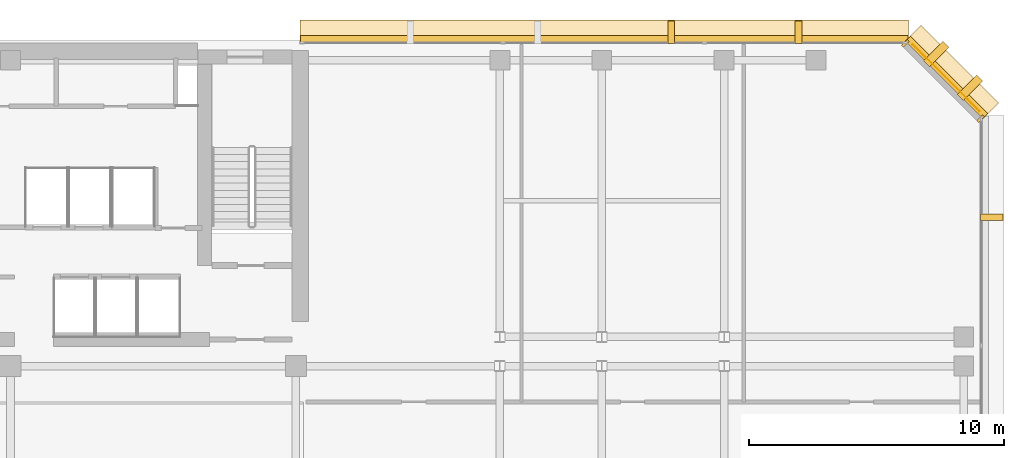
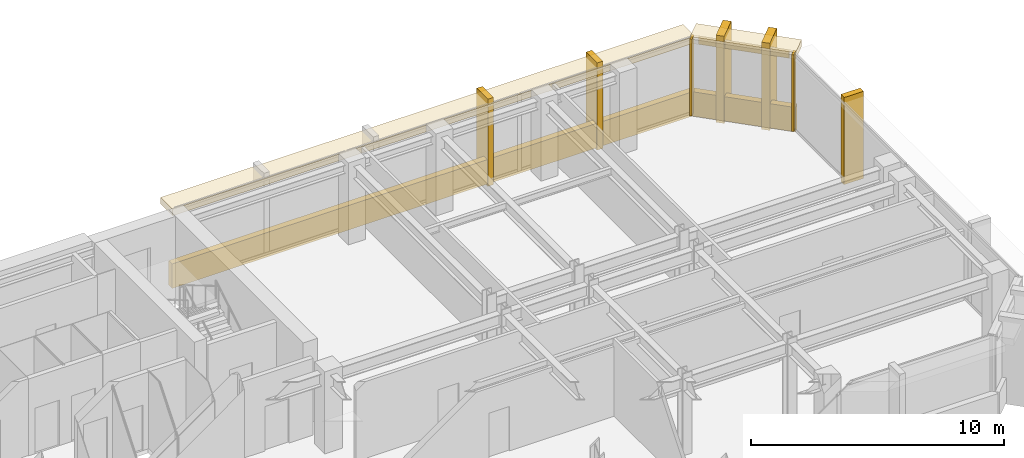
# One storey, part 12 of 12: 12 coverings.
"""IFC4 building model written with IfcOpenShell, lengths in metres."""

from ifc_helpers import new_model, si_unit, direction, frame, origin, origin_2d, place, context, subcontext, project, spatial, rectangle, extrude, material, layer, layer_set, type_object, element, save


model = new_model("IFC4")

# Units and contexts
model_context = context("Model", 3, precision=1e-05, world=origin(), true_north=direction((0.0, 1.0)))
body_context = subcontext(model_context, "Body", "Model", "MODEL_VIEW")
ifc_project = project(units=[si_unit("LENGTHUNIT", "METRE"), si_unit("AREAUNIT", "SQUARE_METRE"), si_unit("VOLUMEUNIT", "CUBIC_METRE"), si_unit("PLANEANGLEUNIT", "RADIAN"), si_unit("MASSUNIT", "GRAM", prefix="KILO")], contexts=[model_context])

# Site, building, storey
site_placement = place(None, origin())
site = spatial("IfcSite", under=ifc_project, at=site_placement, CompositionType="ELEMENT")
building_placement = place(site_placement, origin())
building = spatial("IfcBuilding", under=site, at=building_placement, Name="Kefirva Bronze Tower", CompositionType="ELEMENT")
storey_placement = place(building_placement, frame((0.0, 0.0, 207.239990234375)))
storey = spatial("IfcBuildingStorey", under=building, at=storey_placement, Name="L50", CompositionType="ELEMENT", Elevation=207.239990234375)

# Coverings
ifc_material = material(Name="Bronze anodised aluminium", Category="aluminium")
ifc_layer_1 = layer(ifc_material, 0.02001953125, Name="Bronze anodised aluminium")
ifc_layer_set_1 = layer_set([ifc_layer_1], Name="Bronze anodised aluminium")
covering_type_1 = type_object("IfcCoveringType", Name="Anodised Bronze Spandrel Cladding 20mm", PredefinedType="CLADDING", material=ifc_layer_set_1)
covering_1_placement = place(storey_placement, frame((48.70703125, 44.507080078125, 3.2900390625), z_axis=(0.0, 0.0, 1.0), x_axis=(-0.707106781187, 0.707106781187, 0.0)))
element("IfcCovering", 1, at=covering_1_placement, inside=storey, type_object=covering_type_1, Name="L50 Bronze Spandrel Cladding 5", PredefinedType="CLADDING", context=body_context, shape_type="SweptSolid", body=[
    extrude(rectangle(XDim=3.719482421875, YDim=0.02001953125, at=origin_2d()), origin(), (0.0, 0.0, 1.0), 0.39990234375),
])
for number, where, z_axis, x_axis, name in (
    (2, (50.06201171875, 42.91162109375, 0.0), (0.0, 0.0, 1.0), (-0.707106781187, 0.707106781187, 0.0), "L50 Facade Joint Closure Panel 5S"),
    (3, (47.11181640625, 45.862060546875, 0.0), (0.0, 0.0, 1.0), (-0.707106781187, 0.707106781187, 0.0), "L50 Facade Joint Closure Panel 5E"),
):
    element("IfcCovering", number, at=place(storey_placement, frame(where, z_axis=z_axis, x_axis=x_axis)), inside=storey, type_object=covering_type_1, Name=name, PredefinedType="CLADDING", context=body_context, shape_type="SweptSolid", body=[
        extrude(rectangle(XDim=0.10009765625, YDim=0.320068359375, at=origin_2d()), origin(), (0.0, 0.0, 1.0), 3.7099609375),
    ])
covering_2_placement = place(storey_placement, frame((48.728271484375, 44.5283203125, -0.16015625), z_axis=(0.0, 0.0, 1.0), x_axis=(-0.707106781187, 0.707106781187, 0.0)))
element("IfcCovering", 4, at=covering_2_placement, inside=storey, type_object=covering_type_1, Name="L50 Streamline Horizontal Spandrel Band 7", PredefinedType="CLADDING", context=body_context, shape_type="SweptSolid", body=[
    extrude(rectangle(XDim=4.28271484375, YDim=0.280029296875, at=origin_2d()), origin(), (0.0, 0.0, 1.0), 1.179931640625),
])
covering_3_placement = place(storey_placement, frame((35.302490234375, 46.0400390625, -0.16015625), z_axis=(0.0, 0.0, 1.0), x_axis=(-1.0, 0.0, 0.0)))
element("IfcCovering", 5, at=covering_3_placement, inside=storey, type_object=covering_type_1, Name="L50 Streamline Horizontal Spandrel Band 8", PredefinedType="CLADDING", context=body_context, shape_type="SweptSolid", body=[
    extrude(rectangle(XDim=23.8349609375, YDim=0.280029296875, at=origin_2d()), origin(), (0.0, 0.0, 1.0), 1.179931640625),
])
ifc_layer_2 = layer(ifc_material, 0.179931640625, Name="Bronze anodised aluminium")
ifc_layer_set_2 = layer_set([ifc_layer_2], Name="Bronze anodised aluminium")
covering_type_2 = type_object("IfcCoveringType", Name="Streamline Bronze Sunshade Eyebrow Cladding 180mm", PredefinedType="CLADDING", material=ifc_layer_set_2)
covering_4_placement = place(storey_placement, frame((48.919189453125, 44.71923828125, 3.39013671875), z_axis=(0.0, 0.0, 1.0), x_axis=(-0.707106781187, 0.707106781187, 0.0)))
element("IfcCovering", 6, at=covering_4_placement, inside=storey, type_object=covering_type_2, Name="L50 Streamline Bronze Sunshade Eyebrow 7", PredefinedType="CLADDING", context=body_context, shape_type="SweptSolid", body=[
    extrude(rectangle(XDim=4.322509765625, YDim=0.93994140625, at=origin_2d()), origin(), (0.0, 0.0, 1.0), 0.320068359375),
])
covering_5_placement = place(storey_placement, frame((35.302490234375, 46.31005859375, 3.39013671875), z_axis=(0.0, 0.0, 1.0), x_axis=(-1.0, 0.0, 0.0)))
element("IfcCovering", 7, at=covering_5_placement, inside=storey, type_object=covering_type_2, Name="L50 Streamline Bronze Sunshade Eyebrow 8", PredefinedType="CLADDING", context=body_context, shape_type="SweptSolid", body=[
    extrude(rectangle(XDim=23.875, YDim=0.93994140625, at=origin_2d()), origin(), (0.0, 0.0, 1.0), 0.320068359375),
])
ifc_layer_3 = layer(ifc_material, 0.260009765625, Name="Bronze anodised aluminium")
ifc_layer_set_3 = layer_set([ifc_layer_3], Name="Bronze anodised aluminium")
covering_type_3 = type_object("IfcCoveringType", Name="Unbroken Bronze Buttress Fin Cladding 260mm", PredefinedType="CLADDING", material=ifc_layer_set_3)
covering_6_placement = place(storey_placement, frame((50.5, 39.0400390625, -0.25), z_axis=(0.0, 0.0, 1.0), x_axis=(0.0, 1.0, 0.0)))
element("IfcCovering", 8, at=covering_6_placement, inside=storey, type_object=covering_type_3, Name="L50 Unbroken Vertical Bronze Rib Fin 14", PredefinedType="CLADDING", context=body_context, shape_type="SweptSolid", body=[
    extrude(rectangle(XDim=0.260009765625, YDim=0.8798828125, at=origin_2d()), origin(), (0.0, 0.0, 1.0), 4.2099609375),
])
for number, where, z_axis, x_axis, name in (
    (9, (49.642822265625, 44.122802734375, -0.25), (0.0, 0.0, 1.0), (-0.707106781187, 0.707106781187, 0.0), "L50 Chamfered Corner Buttress Fin Cladding 15"),
    (10, (48.32275390625, 45.44287109375, -0.25), (0.0, 0.0, 1.0), (-0.707106781187, 0.707106781187, 0.0), "L50 Chamfered Corner Buttress Fin Cladding 16"),
):
    element("IfcCovering", number, at=place(storey_placement, frame(where, z_axis=z_axis, x_axis=x_axis)), inside=storey, type_object=covering_type_3, Name=name, PredefinedType="CLADDING", context=body_context, shape_type="SweptSolid", body=[
        extrude(rectangle(XDim=0.340087890625, YDim=1.080078125, at=origin_2d()), origin(), (0.0, 0.0, 1.0), 4.2099609375),
    ])
for number, where, z_axis, x_axis, name in (
    (11, (42.9169921875, 46.300048828125, -0.25), (0.0, 0.0, 1.0), (-1.0, 0.0, 0.0), "L50 Unbroken Vertical Bronze Rib Fin 17"),
    (12, (37.919921875, 46.300048828125, -0.25), (0.0, 0.0, 1.0), (-1.0, 0.0, 0.0), "L50 Unbroken Vertical Bronze Rib Fin 18"),
):
    element("IfcCovering", number, at=place(storey_placement, frame(where, z_axis=z_axis, x_axis=x_axis)), inside=storey, type_object=covering_type_3, Name=name, PredefinedType="CLADDING", context=body_context, shape_type="SweptSolid", body=[
        extrude(rectangle(XDim=0.260009765625, YDim=0.8798828125, at=origin_2d()), origin(), (0.0, 0.0, 1.0), 4.2099609375),
    ])

save(model, "model.ifc")
